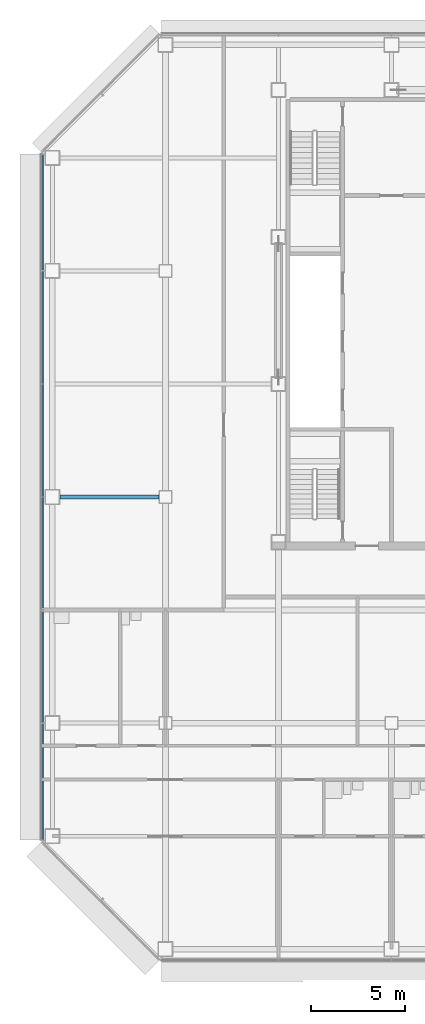
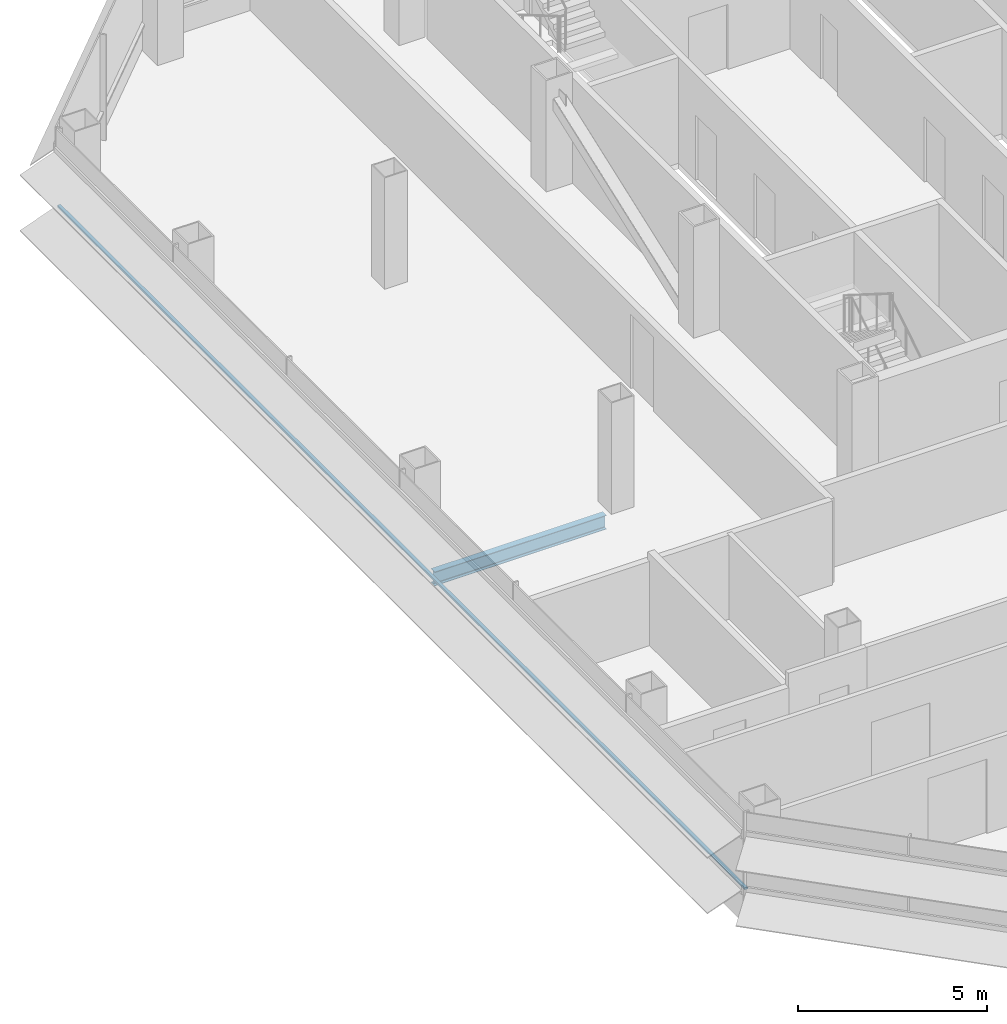
# One storey, part 5 of 26: 1 beam, 1 member, 1 element without a shape of its own.
"""IFC4 building model written with IfcOpenShell, lengths in metres."""

from ifc_helpers import new_model, si_unit, direction, frame, origin, origin_2d, place, context, subcontext, project, spatial, rectangle, i_section, extrude, material, material_profile, profile_set, type_object, element, aggregate, save


model = new_model("IFC4")

# Units and contexts
model_context = context("Model", 3, precision=1e-05, world=origin(), true_north=direction((0.0, 1.0)))
body_context = subcontext(model_context, "Body", "Model", "MODEL_VIEW")
ifc_project = project(units=[si_unit("LENGTHUNIT", "METRE"), si_unit("AREAUNIT", "SQUARE_METRE"), si_unit("VOLUMEUNIT", "CUBIC_METRE"), si_unit("PLANEANGLEUNIT", "RADIAN"), si_unit("MASSUNIT", "GRAM", prefix="KILO")], contexts=[model_context])

# Site, building, storey
site_placement = place(None, origin())
site = spatial("IfcSite", under=ifc_project, at=site_placement, CompositionType="ELEMENT")
building_placement = place(site_placement, origin())
building = spatial("IfcBuilding", under=site, at=building_placement, Name="Sorahane Residences", CompositionType="ELEMENT")
storey_placement = place(building_placement, frame((0.0, 0.0, 103.39990234375)))
storey = spatial("IfcBuildingStorey", under=building, at=storey_placement, Name="L22", CompositionType="ELEMENT", Elevation=103.39990234375)

# Curtain wall, member
ifc_material_1 = material(Name="Dark low-e glass and black anodised aluminium", Category="aluminium")
curtain_wall_type = type_object("IfcCurtainWallType", Name="Curtain wall CW-1 Typical unitised wall", PredefinedType="NOTDEFINED", material=ifc_material_1)
curtain_wall_placement = place(storey_placement, origin())
curtain_wall = element("IfcCurtainWall", 1, at=curtain_wall_placement, inside=storey, type_object=curtain_wall_type, Name="CW-1 curtain wall L22 W2", PredefinedType="NOTDEFINED")
ifc_material_2 = material(Name="Black anodised aluminium", Category="aluminium")
ifc_material_profile_1 = material_profile(ifc_material_2, rectangle(XDim=0.10009765625, YDim=0.06005859375, at=origin_2d()), Name="Curtain wall transom CW-1 black anodised aluminium 60x100")
ifc_profile_set_1 = profile_set([ifc_material_profile_1], Name="Black anodised aluminium")
member_type = type_object("IfcMemberType", Name="Curtain wall transom CW-1 black anodised aluminium 60x100", PredefinedType="USERDEFINED", material=ifc_profile_set_1)
member_placement = place(storey_placement, frame((-6.530029296875, 42.198486328125, 0.900146484375), z_axis=(0.0, -1.0, 0.0), x_axis=(1.0, 0.0, 0.0)))
member = element("IfcMember", 2, at=member_placement, type_object=member_type, Name="CW-1 transom L22 W2", ObjectType="TRANSOM", PredefinedType="USERDEFINED", context=body_context, shape_type="SweptSolid", body=[
    extrude(rectangle(XDim=0.10009765625, YDim=0.06005859375, at=origin_2d()), origin(), (0.0, 0.0, 1.0), 36.39697265625),
])
aggregate(curtain_wall, [member])

# Beam
ifc_material_3 = material(Name="Steel Q355B", Category="steel")
ifc_material_profile_2 = material_profile(ifc_material_3, i_section(OverallWidth=0.199951171875, OverallDepth=0.449951171875, WebThickness=0.009033203125, FlangeThickness=0.013916015625, FilletRadius=0.02001953125, at=origin_2d()), Name="HN 450x200x9x14")
ifc_profile_set_2 = profile_set([ifc_material_profile_2], Name="Steel Q355B")
beam_type = type_object("IfcBeamType", Name="Steel floor beam HN 450x200x9x14 Q355B", PredefinedType="BEAM", material=ifc_profile_set_2)
beam_placement = place(storey_placement, frame((-5.60009765625, 24.0, -0.40478515625), z_axis=(1.0, 0.0, 0.0), x_axis=(0.0, 1.0, 0.0)))
element("IfcBeam", 3, at=beam_placement, inside=storey, type_object=beam_type, Name="Beam L22 010", PredefinedType="BEAM", context=body_context, shape_type="SweptSolid", body=[
    extrude(i_section(OverallWidth=0.199951171875, OverallDepth=0.449951171875, WebThickness=0.009033203125, FlangeThickness=0.013916015625, FilletRadius=0.02001953125, at=origin_2d()), origin(), (0.0, 0.0, 1.0), 5.25),
])

save(model, "model.ifc")
